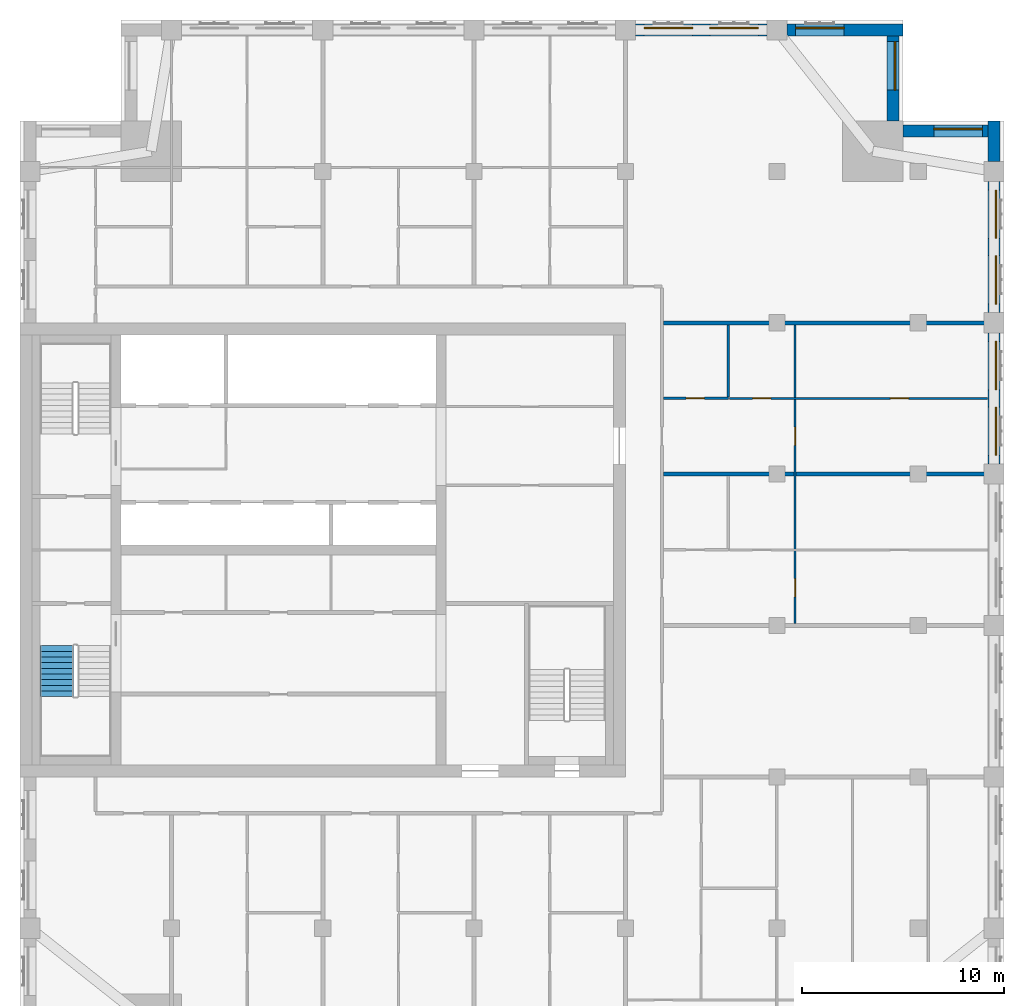
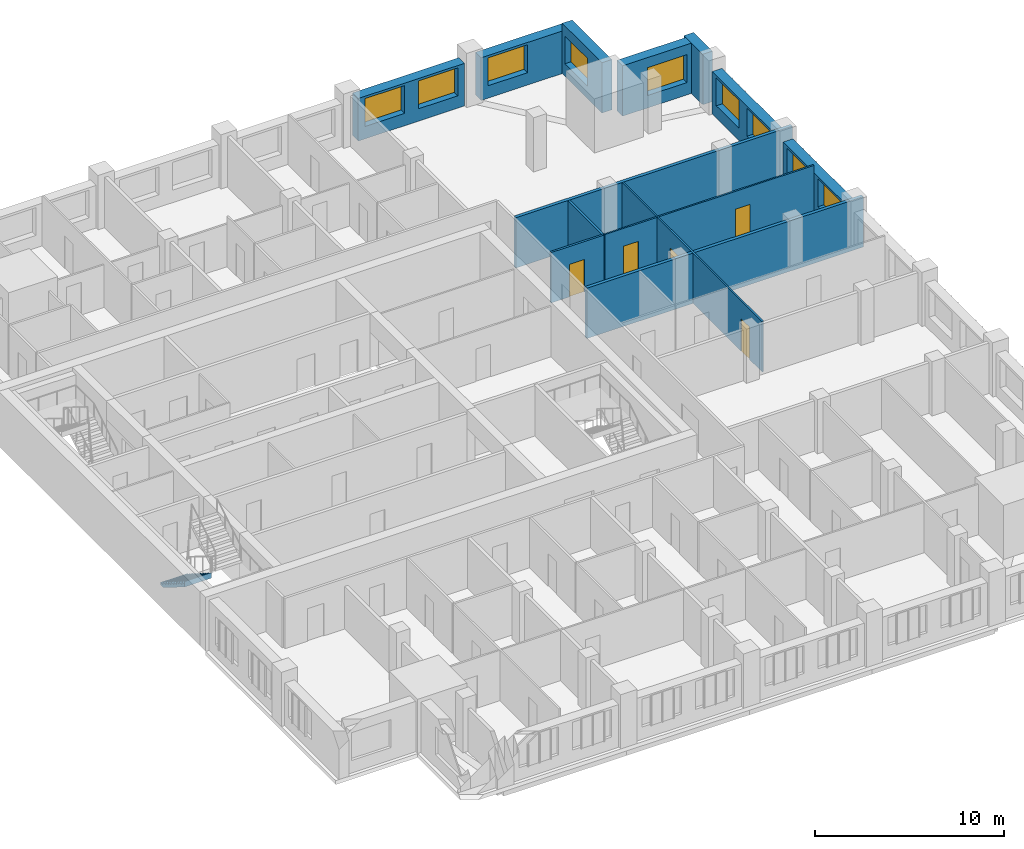
# One storey, part 8 of 11: 13 walls, 9 windows, 5 doors, 1 stair flight, 14 openings, 1 element without a shape of its own.
"""IFC4 building model written with IfcOpenShell, lengths in metres."""

from ifc_helpers import new_model, si_unit, direction, frame, frame_2d, origin, place, context, subcontext, project, spatial, polyline, rectangle, outline, extrude, material, layer, layer_set, type_object, element, fill, aggregate, save


model = new_model("IFC4")

# Units and contexts
model_context = context("Model", 3, precision=1e-05, world=origin(), true_north=direction((0.0, 1.0)))
body_context = subcontext(model_context, "Body", "Model", "MODEL_VIEW")
ifc_project = project(units=[si_unit("LENGTHUNIT", "METRE"), si_unit("AREAUNIT", "SQUARE_METRE"), si_unit("VOLUMEUNIT", "CUBIC_METRE"), si_unit("PLANEANGLEUNIT", "RADIAN"), si_unit("MASSUNIT", "GRAM", prefix="KILO")], contexts=[model_context])

# Site, building, storey
site_placement = place(None, origin())
site = spatial("IfcSite", under=ifc_project, at=site_placement, CompositionType="ELEMENT")
building_placement = place(site_placement, origin())
building = spatial("IfcBuilding", under=site, at=building_placement, Name="Tamorin Gate", CompositionType="ELEMENT")
storey_placement = place(building_placement, frame((0.0, 0.0, 240.699951171875)))
storey = spatial("IfcBuildingStorey", under=building, at=storey_placement, Name="L60", CompositionType="ELEMENT", Elevation=240.699951171875)

# Wall, openings, windows
ifc_material_1 = material(Name="Precast concrete C40/50", Category="concrete")
ifc_layer_1 = layer(ifc_material_1, 0.60009765625)
ifc_layer_set_1 = layer_set([ifc_layer_1], Name="Precast concrete C40/50")
wall_type_1 = type_object("IfcWallType", Name="Board-marked concrete facade panel 600", PredefinedType="SOLIDWALL", material=ifc_layer_set_1)
wall_1_placement = place(storey_placement, frame((78.25, 75.5, 0.0), z_axis=(0.0, 0.0, 1.0), x_axis=(0.0, 1.0, 0.0)))
wall_1 = element("IfcWall", 1, at=wall_1_placement, inside=storey, type_object=wall_type_1, Name="Facade panel", PredefinedType="SOLIDWALL", context=body_context, shape_type="SweptSolid", body=[
    extrude(rectangle(XDim=6.5, YDim=0.60009765625, at=frame_2d((3.25, 0.0))), origin(), (0.0, 0.0, 1.0), 2.75),
])
opening_1_placement = place(wall_1_placement, frame((0.425048828125, 0.0, 0.800048828125)))
opening_1 = element("IfcOpeningElement", 2, at=opening_1_placement, cuts=wall_1, Name="Opening WN1", PredefinedType="OPENING", context=body_context, shape_type="SweptSolid", body=[
    extrude(rectangle(XDim=2.39990234375, YDim=1.800048828125, at=frame_2d((1.199951171875, 0.89990234375))), frame((0.0, 0.31005859375, 0.0), z_axis=(0.0, -1.0, 0.0), x_axis=(1.0, 0.0, 0.0)), (0.0, 0.0, 1.0), 0.6201171875),
])
opening_2_placement = place(wall_1_placement, frame((3.675048828125, 0.0, 0.800048828125)))
opening_2 = element("IfcOpeningElement", 3, at=opening_2_placement, cuts=wall_1, Name="Opening WN1", PredefinedType="OPENING", context=body_context, shape_type="SweptSolid", body=[
    extrude(rectangle(XDim=2.39990234375, YDim=1.800048828125, at=frame_2d((1.199951171875, 0.89990234375))), frame((0.0, 0.31005859375, 0.0), z_axis=(0.0, -1.0, 0.0), x_axis=(1.0, 0.0, 0.0)), (0.0, 0.0, 1.0), 0.6201171875),
])
ifc_material_2 = material(Name="Clear glass in aluminium frame", Category="aluminium")
window_type = type_object("IfcWindowType", Name="Deep-set window 2400x1800", PartitioningType="SINGLE_PANEL", PredefinedType="WINDOW", material=ifc_material_2)
window_1_placement = place(opening_1_placement, origin())
window_1 = element("IfcWindow", 4, at=window_1_placement, inside=storey, type_object=window_type, Name="Deep-set window", OverallHeight=1.800048828125, OverallWidth=2.39990234375, PartitioningType="SINGLE_PANEL", PredefinedType="WINDOW", context=body_context, shape_type="SweptSolid", body=[
    extrude(rectangle(XDim=2.39990234375, YDim=1.800048828125, at=frame_2d((1.199951171875, 0.89990234375))), frame((0.0, -0.070068359375, 0.0), z_axis=(0.0, -1.0, 0.0), x_axis=(1.0, 0.0, 0.0)), (0.0, 0.0, 1.0), 0.06005859375),
])
fill(opening_1, window_1)
window_2_placement = place(opening_2_placement, origin())
window_2 = element("IfcWindow", 5, at=window_2_placement, inside=storey, type_object=window_type, Name="Deep-set window", OverallHeight=1.800048828125, OverallWidth=2.39990234375, PartitioningType="SINGLE_PANEL", PredefinedType="WINDOW", context=body_context, shape_type="SweptSolid", body=[
    extrude(rectangle(XDim=2.39990234375, YDim=1.800048828125, at=frame_2d((1.199951171875, 0.89990234375))), frame((0.0, -0.070068359375, 0.0), z_axis=(0.0, -1.0, 0.0), x_axis=(1.0, 0.0, 0.0)), (0.0, 0.0, 1.0), 0.06005859375),
])
fill(opening_2, window_2)

wall_2_placement = place(storey_placement, frame((78.25, 83.0, 0.0), z_axis=(0.0, 0.0, 1.0), x_axis=(0.0, 1.0, 0.0)))
wall_2 = element("IfcWall", 6, at=wall_2_placement, inside=storey, type_object=wall_type_1, Name="Facade panel", PredefinedType="SOLIDWALL", context=body_context, shape_type="SweptSolid", body=[
    extrude(rectangle(XDim=6.5, YDim=0.60009765625, at=frame_2d((3.25, 0.0))), origin(), (0.0, 0.0, 1.0), 2.75),
])
opening_3_placement = place(wall_2_placement, frame((0.425048828125, 0.0, 0.800048828125)))
opening_3 = element("IfcOpeningElement", 7, at=opening_3_placement, cuts=wall_2, Name="Opening WN1", PredefinedType="OPENING", context=body_context, shape_type="SweptSolid", body=[
    extrude(rectangle(XDim=2.39990234375, YDim=1.800048828125, at=frame_2d((1.199951171875, 0.89990234375))), frame((0.0, 0.31005859375, 0.0), z_axis=(0.0, -1.0, 0.0), x_axis=(1.0, 0.0, 0.0)), (0.0, 0.0, 1.0), 0.6201171875),
])
opening_4_placement = place(wall_2_placement, frame((3.675048828125, 0.0, 0.800048828125)))
opening_4 = element("IfcOpeningElement", 8, at=opening_4_placement, cuts=wall_2, Name="Opening WN1", PredefinedType="OPENING", context=body_context, shape_type="SweptSolid", body=[
    extrude(rectangle(XDim=2.39990234375, YDim=1.800048828125, at=frame_2d((1.199951171875, 0.89990234375))), frame((0.0, 0.31005859375, 0.0), z_axis=(0.0, -1.0, 0.0), x_axis=(1.0, 0.0, 0.0)), (0.0, 0.0, 1.0), 0.6201171875),
])
window_3_placement = place(opening_3_placement, origin())
window_3 = element("IfcWindow", 9, at=window_3_placement, inside=storey, type_object=window_type, Name="Deep-set window", OverallHeight=1.800048828125, OverallWidth=2.39990234375, PartitioningType="SINGLE_PANEL", PredefinedType="WINDOW", context=body_context, shape_type="SweptSolid", body=[
    extrude(rectangle(XDim=2.39990234375, YDim=1.800048828125, at=frame_2d((1.199951171875, 0.89990234375))), frame((0.0, -0.070068359375, 0.0), z_axis=(0.0, -1.0, 0.0), x_axis=(1.0, 0.0, 0.0)), (0.0, 0.0, 1.0), 0.06005859375),
])
fill(opening_3, window_3)
window_4_placement = place(opening_4_placement, origin())
window_4 = element("IfcWindow", 10, at=window_4_placement, inside=storey, type_object=window_type, Name="Deep-set window", OverallHeight=1.800048828125, OverallWidth=2.39990234375, PartitioningType="SINGLE_PANEL", PredefinedType="WINDOW", context=body_context, shape_type="SweptSolid", body=[
    extrude(rectangle(XDim=2.39990234375, YDim=1.800048828125, at=frame_2d((1.199951171875, 0.89990234375))), frame((0.0, -0.070068359375, 0.0), z_axis=(0.0, -1.0, 0.0), x_axis=(1.0, 0.0, 0.0)), (0.0, 0.0, 1.0), 0.06005859375),
])
fill(opening_4, window_4)

# Wall
wall_3_placement = place(storey_placement, frame((78.25, 90.5, 0.0), z_axis=(0.0, 0.0, 1.0), x_axis=(0.0, 1.0, 0.0)))
element("IfcWall", 11, at=wall_3_placement, inside=storey, type_object=wall_type_1, Name="Facade panel", PredefinedType="SOLIDWALL", context=body_context, shape_type="SweptSolid", body=[
    extrude(rectangle(XDim=2.0, YDim=0.60009765625, at=frame_2d((1.0, 0.0))), origin(), (0.0, 0.0, 1.0), 3.25),
])

# Wall, opening, window
wall_4_placement = place(storey_placement, frame((77.949951171875, 92.0, 0.0), z_axis=(0.0, 0.0, 1.0), x_axis=(-1.0, 0.0, 0.0)))
wall_4 = element("IfcWall", 12, at=wall_4_placement, inside=storey, type_object=wall_type_1, Name="Facade panel", PredefinedType="SOLIDWALL", context=body_context, shape_type="SweptSolid", body=[
    extrude(rectangle(XDim=4.199951171875, YDim=0.60009765625, at=frame_2d((2.10009765625, 0.0))), origin(), (0.0, 0.0, 1.0), 3.25),
])
opening_5_placement = place(wall_4_placement, frame((0.27490234375, 0.0, 0.800048828125)))
opening_5 = element("IfcOpeningElement", 13, at=opening_5_placement, cuts=wall_4, Name="Opening WN1", PredefinedType="OPENING", context=body_context, shape_type="SweptSolid", body=[
    extrude(rectangle(XDim=2.39990234375, YDim=1.800048828125, at=frame_2d((1.199951171875, 0.89990234375))), frame((0.0, 0.31005859375, 0.0), z_axis=(0.0, -1.0, 0.0), x_axis=(1.0, 0.0, 0.0)), (0.0, 0.0, 1.0), 0.6201171875),
])
window_5_placement = place(opening_5_placement, origin())
window_5 = element("IfcWindow", 14, at=window_5_placement, inside=storey, type_object=window_type, Name="Deep-set window", OverallHeight=1.800048828125, OverallWidth=2.39990234375, PartitioningType="SINGLE_PANEL", PredefinedType="WINDOW", context=body_context, shape_type="SweptSolid", body=[
    extrude(rectangle(XDim=2.39990234375, YDim=1.800048828125, at=frame_2d((1.199951171875, 0.89990234375))), frame((0.0, -0.070068359375, 0.0), z_axis=(0.0, -1.0, 0.0), x_axis=(1.0, 0.0, 0.0)), (0.0, 0.0, 1.0), 0.06005859375),
])
fill(opening_5, window_5)

wall_5_placement = place(storey_placement, frame((73.25, 92.5, 0.0), z_axis=(0.0, 0.0, 1.0), x_axis=(0.0, 1.0, 0.0)))
wall_5 = element("IfcWall", 15, at=wall_5_placement, inside=storey, type_object=wall_type_1, Name="Facade panel", PredefinedType="SOLIDWALL", context=body_context, shape_type="SweptSolid", body=[
    extrude(rectangle(XDim=4.199951171875, YDim=0.60009765625, at=frame_2d((2.10009765625, 0.0))), origin(), (0.0, 0.0, 1.0), 3.25),
])
opening_6_placement = place(wall_5_placement, frame((1.52490234375, 0.0, 0.800048828125)))
opening_6 = element("IfcOpeningElement", 16, at=opening_6_placement, cuts=wall_5, Name="Opening WN1", PredefinedType="OPENING", context=body_context, shape_type="SweptSolid", body=[
    extrude(rectangle(XDim=2.39990234375, YDim=1.800048828125, at=frame_2d((1.199951171875, 0.89990234375))), frame((0.0, 0.31005859375, 0.0), z_axis=(0.0, -1.0, 0.0), x_axis=(1.0, 0.0, 0.0)), (0.0, 0.0, 1.0), 0.6201171875),
])
window_6_placement = place(opening_6_placement, origin())
window_6 = element("IfcWindow", 17, at=window_6_placement, inside=storey, type_object=window_type, Name="Deep-set window", OverallHeight=1.800048828125, OverallWidth=2.39990234375, PartitioningType="SINGLE_PANEL", PredefinedType="WINDOW", context=body_context, shape_type="SweptSolid", body=[
    extrude(rectangle(XDim=2.39990234375, YDim=1.800048828125, at=frame_2d((1.199951171875, 0.89990234375))), frame((0.0, -0.070068359375, 0.0), z_axis=(0.0, -1.0, 0.0), x_axis=(1.0, 0.0, 0.0)), (0.0, 0.0, 1.0), 0.06005859375),
])
fill(opening_6, window_6)

wall_6_placement = place(storey_placement, frame((73.75, 97.0, 0.0), z_axis=(0.0, 0.0, 1.0), x_axis=(-1.0, 0.0, 0.0)))
wall_6 = element("IfcWall", 18, at=wall_6_placement, inside=storey, type_object=wall_type_1, Name="Facade panel", PredefinedType="SOLIDWALL", context=body_context, shape_type="SweptSolid", body=[
    extrude(rectangle(XDim=5.75, YDim=0.60009765625, at=frame_2d((2.875, 0.0))), origin(), (0.0, 0.0, 1.0), 2.75),
])
opening_7_placement = place(wall_6_placement, frame((2.925048828125, 0.0, 0.800048828125)))
opening_7 = element("IfcOpeningElement", 19, at=opening_7_placement, cuts=wall_6, Name="Opening WN1", PredefinedType="OPENING", context=body_context, shape_type="SweptSolid", body=[
    extrude(rectangle(XDim=2.39990234375, YDim=1.800048828125, at=frame_2d((1.199951171875, 0.89990234375))), frame((0.0, 0.31005859375, 0.0), z_axis=(0.0, -1.0, 0.0), x_axis=(1.0, 0.0, 0.0)), (0.0, 0.0, 1.0), 0.6201171875),
])
window_7_placement = place(opening_7_placement, origin())
window_7 = element("IfcWindow", 20, at=window_7_placement, inside=storey, type_object=window_type, Name="Deep-set window", OverallHeight=1.800048828125, OverallWidth=2.39990234375, PartitioningType="SINGLE_PANEL", PredefinedType="WINDOW", context=body_context, shape_type="SweptSolid", body=[
    extrude(rectangle(XDim=2.39990234375, YDim=1.800048828125, at=frame_2d((1.199951171875, 0.89990234375))), frame((0.0, -0.070068359375, 0.0), z_axis=(0.0, -1.0, 0.0), x_axis=(1.0, 0.0, 0.0)), (0.0, 0.0, 1.0), 0.06005859375),
])
fill(opening_7, window_7)

# Wall, openings, windows
wall_7_placement = place(storey_placement, frame((67.0, 97.0, 0.0), z_axis=(0.0, 0.0, 1.0), x_axis=(-1.0, 0.0, 0.0)))
wall_7 = element("IfcWall", 21, at=wall_7_placement, inside=storey, type_object=wall_type_1, Name="Facade panel", PredefinedType="SOLIDWALL", context=body_context, shape_type="SweptSolid", body=[
    extrude(rectangle(XDim=6.5, YDim=0.60009765625, at=frame_2d((3.25, 0.0))), origin(), (0.0, 0.0, 1.0), 2.75),
])
opening_8_placement = place(wall_7_placement, frame((3.675048828125, 0.0, 0.800048828125)))
opening_8 = element("IfcOpeningElement", 22, at=opening_8_placement, cuts=wall_7, Name="Opening WN1", PredefinedType="OPENING", context=body_context, shape_type="SweptSolid", body=[
    extrude(rectangle(XDim=2.39990234375, YDim=1.800048828125, at=frame_2d((1.199951171875, 0.89990234375))), frame((0.0, 0.31005859375, 0.0), z_axis=(0.0, -1.0, 0.0), x_axis=(1.0, 0.0, 0.0)), (0.0, 0.0, 1.0), 0.6201171875),
])
opening_9_placement = place(wall_7_placement, frame((0.425048828125, 0.0, 0.800048828125)))
opening_9 = element("IfcOpeningElement", 23, at=opening_9_placement, cuts=wall_7, Name="Opening WN1", PredefinedType="OPENING", context=body_context, shape_type="SweptSolid", body=[
    extrude(rectangle(XDim=2.39990234375, YDim=1.800048828125, at=frame_2d((1.199951171875, 0.89990234375))), frame((0.0, 0.31005859375, 0.0), z_axis=(0.0, -1.0, 0.0), x_axis=(1.0, 0.0, 0.0)), (0.0, 0.0, 1.0), 0.6201171875),
])
window_8_placement = place(opening_8_placement, origin())
window_8 = element("IfcWindow", 24, at=window_8_placement, inside=storey, type_object=window_type, Name="Deep-set window", OverallHeight=1.800048828125, OverallWidth=2.39990234375, PartitioningType="SINGLE_PANEL", PredefinedType="WINDOW", context=body_context, shape_type="SweptSolid", body=[
    extrude(rectangle(XDim=2.39990234375, YDim=1.800048828125, at=frame_2d((1.199951171875, 0.89990234375))), frame((0.0, -0.070068359375, 0.0), z_axis=(0.0, -1.0, 0.0), x_axis=(1.0, 0.0, 0.0)), (0.0, 0.0, 1.0), 0.06005859375),
])
fill(opening_8, window_8)
window_9_placement = place(opening_9_placement, origin())
window_9 = element("IfcWindow", 25, at=window_9_placement, inside=storey, type_object=window_type, Name="Deep-set window", OverallHeight=1.800048828125, OverallWidth=2.39990234375, PartitioningType="SINGLE_PANEL", PredefinedType="WINDOW", context=body_context, shape_type="SweptSolid", body=[
    extrude(rectangle(XDim=2.39990234375, YDim=1.800048828125, at=frame_2d((1.199951171875, 0.89990234375))), frame((0.0, -0.070068359375, 0.0), z_axis=(0.0, -1.0, 0.0), x_axis=(1.0, 0.0, 0.0)), (0.0, 0.0, 1.0), 0.06005859375),
])
fill(opening_9, window_9)

# Walls
ifc_material_3 = material(Name="Gypsum board partition")
ifc_layer_2 = layer(ifc_material_3, 0.199951171875)
ifc_layer_set_2 = layer_set([ifc_layer_2], Name="Demising wall 200")
wall_type_2 = type_object("IfcWallType", Name="Demising wall 200", PredefinedType="PARTITIONING", material=ifc_layer_set_2)
for number, where, z_axis, x_axis, name in (
    (26, (61.875, 75.0, 0.0), (0.0, 0.0, 1.0), (1.0, 0.0, 0.0), "Demising wall 200"),
    (27, (61.875, 82.5, 0.0), (0.0, 0.0, 1.0), (1.0, 0.0, 0.0), "Demising wall 200"),
):
    element("IfcWall", number, at=place(storey_placement, frame(where, z_axis=z_axis, x_axis=x_axis)), inside=storey, type_object=wall_type_2, Name=name, PredefinedType="PARTITIONING", context=body_context, shape_type="SweptSolid", body=[
        extrude(rectangle(XDim=16.875, YDim=0.199951171875, at=frame_2d((8.4375, 0.0))), origin(), (0.0, 0.0, 1.0), 3.25),
    ])

# Wall, openings, doors
ifc_layer_3 = layer(ifc_material_3, 0.10009765625)
ifc_layer_set_3 = layer_set([ifc_layer_3], Name="Room partition 100")
wall_type_3 = type_object("IfcWallType", Name="Room partition 100", PredefinedType="PARTITIONING", material=ifc_layer_set_3)
wall_8_placement = place(storey_placement, frame((65.16259765625, 78.75, 0.0), z_axis=(0.0, 0.0, 1.0), x_axis=(1.0, 0.0, 0.0)))
wall_8 = element("IfcWall", 28, at=wall_8_placement, inside=storey, type_object=wall_type_3, Name="Room partition 100", PredefinedType="PARTITIONING", context=body_context, shape_type="SweptSolid", body=[
    extrude(rectangle(XDim=12.77734375, YDim=0.10009765625, at=frame_2d((6.388671875, 0.0))), origin(), (0.0, 0.0, 1.0), 3.25),
])
opening_10_placement = place(wall_8_placement, frame((1.137451171875, 0.0, 0.0)))
opening_10 = element("IfcOpeningElement", 29, at=opening_10_placement, cuts=wall_8, Name="Opening DR6052", PredefinedType="OPENING", context=body_context, shape_type="SweptSolid", body=[
    extrude(rectangle(XDim=0.89990234375, YDim=2.10009765625, at=frame_2d((0.449951171875, 1.050048828125))), frame((0.0, 0.06005859375, 0.0), z_axis=(0.0, -1.0, 0.0), x_axis=(1.0, 0.0, 0.0)), (0.0, 0.0, 1.0), 0.1201171875),
])
opening_11_placement = place(wall_8_placement, frame((7.96240234375, 0.0, 0.0)))
opening_11 = element("IfcOpeningElement", 30, at=opening_11_placement, cuts=wall_8, Name="Opening DR6054", PredefinedType="OPENING", context=body_context, shape_type="SweptSolid", body=[
    extrude(rectangle(XDim=0.89990234375, YDim=2.10009765625, at=frame_2d((0.449951171875, 1.050048828125))), frame((0.0, 0.06005859375, 0.0), z_axis=(0.0, -1.0, 0.0), x_axis=(1.0, 0.0, 0.0)), (0.0, 0.0, 1.0), 0.1201171875),
])
ifc_material_4 = material(Name="Timber door leaf", Category="wood")
door_type = type_object("IfcDoorType", Name="Door 900 x 2100", OperationType="NOTDEFINED", PredefinedType="DOOR", material=ifc_material_4)
door_1_placement = place(opening_10_placement, origin())
door_1 = element("IfcDoor", 31, at=door_1_placement, inside=storey, type_object=door_type, Name="Door DR6052", OperationType="SINGLE_SWING_LEFT", OverallHeight=2.10009765625, OverallWidth=0.89990234375, PredefinedType="DOOR", context=body_context, shape_type="SweptSolid", body=[
    extrude(rectangle(XDim=0.89990234375, YDim=2.10009765625, at=frame_2d((0.449951171875, 1.050048828125))), frame((0.0, 0.02490234375, 0.0), z_axis=(0.0, -1.0, 0.0), x_axis=(1.0, 0.0, 0.0)), (0.0, 0.0, 1.0), 0.050048828125),
])
fill(opening_10, door_1)
door_2_placement = place(opening_11_placement, origin())
door_2 = element("IfcDoor", 32, at=door_2_placement, inside=storey, type_object=door_type, Name="Door DR6054", OperationType="SINGLE_SWING_LEFT", OverallHeight=2.10009765625, OverallWidth=0.89990234375, PredefinedType="DOOR", context=body_context, shape_type="SweptSolid", body=[
    extrude(rectangle(XDim=0.89990234375, YDim=2.10009765625, at=frame_2d((0.449951171875, 1.050048828125))), frame((0.0, 0.02490234375, 0.0), z_axis=(0.0, -1.0, 0.0), x_axis=(1.0, 0.0, 0.0)), (0.0, 0.0, 1.0), 0.050048828125),
])
fill(opening_11, door_2)

wall_9_placement = place(storey_placement, frame((68.39990234375, 67.60009765625, 0.0), z_axis=(0.0, 0.0, 1.0), x_axis=(0.0, 1.0, 0.0)))
wall_9 = element("IfcWall", 33, at=wall_9_placement, inside=storey, type_object=wall_type_3, Name="Room partition 100", PredefinedType="PARTITIONING", context=body_context, shape_type="SweptSolid", body=[
    extrude(rectangle(XDim=14.7998046875, YDim=0.10009765625, at=frame_2d((7.39990234375, 0.0))), origin(), (0.0, 0.0, 1.0), 3.25),
])
opening_12_placement = place(wall_9_placement, frame((1.324951171875, 0.0, 0.0)))
opening_12 = element("IfcOpeningElement", 34, at=opening_12_placement, cuts=wall_9, Name="Opening DR6046", PredefinedType="OPENING", context=body_context, shape_type="SweptSolid", body=[
    extrude(rectangle(XDim=0.89990234375, YDim=2.10009765625, at=frame_2d((0.449951171875, 1.050048828125))), frame((0.0, 0.06005859375, 0.0), z_axis=(0.0, -1.0, 0.0), x_axis=(1.0, 0.0, 0.0)), (0.0, 0.0, 1.0), 0.1201171875),
])
opening_13_placement = place(wall_9_placement, frame((8.824951171875, 0.0, 0.0)))
opening_13 = element("IfcOpeningElement", 35, at=opening_13_placement, cuts=wall_9, Name="Opening DR6051", PredefinedType="OPENING", context=body_context, shape_type="SweptSolid", body=[
    extrude(rectangle(XDim=0.89990234375, YDim=2.10009765625, at=frame_2d((0.449951171875, 1.050048828125))), frame((0.0, 0.06005859375, 0.0), z_axis=(0.0, -1.0, 0.0), x_axis=(1.0, 0.0, 0.0)), (0.0, 0.0, 1.0), 0.1201171875),
])
door_3_placement = place(opening_12_placement, origin())
door_3 = element("IfcDoor", 36, at=door_3_placement, inside=storey, type_object=door_type, Name="Door DR6046", OperationType="SINGLE_SWING_LEFT", OverallHeight=2.10009765625, OverallWidth=0.89990234375, PredefinedType="DOOR", context=body_context, shape_type="SweptSolid", body=[
    extrude(rectangle(XDim=0.89990234375, YDim=2.10009765625, at=frame_2d((0.449951171875, 1.050048828125))), frame((0.0, 0.02490234375, 0.0), z_axis=(0.0, -1.0, 0.0), x_axis=(1.0, 0.0, 0.0)), (0.0, 0.0, 1.0), 0.050048828125),
])
fill(opening_12, door_3)
door_4_placement = place(opening_13_placement, origin())
door_4 = element("IfcDoor", 37, at=door_4_placement, inside=storey, type_object=door_type, Name="Door DR6051", OperationType="SINGLE_SWING_LEFT", OverallHeight=2.10009765625, OverallWidth=0.89990234375, PredefinedType="DOOR", context=body_context, shape_type="SweptSolid", body=[
    extrude(rectangle(XDim=0.89990234375, YDim=2.10009765625, at=frame_2d((0.449951171875, 1.050048828125))), frame((0.0, 0.02490234375, 0.0), z_axis=(0.0, -1.0, 0.0), x_axis=(1.0, 0.0, 0.0)), (0.0, 0.0, 1.0), 0.050048828125),
])
fill(opening_13, door_4)

# Wall, opening, door
ifc_layer_4 = layer(ifc_material_3, 0.125)
ifc_layer_set_4 = layer_set([ifc_layer_4], Name="Wet wall 125")
wall_type_4 = type_object("IfcWallType", Name="Wet wall 125", PredefinedType="PARTITIONING", material=ifc_layer_set_4)
wall_10_placement = place(storey_placement, frame((61.875, 78.75, 0.0), z_axis=(0.0, 0.0, 1.0), x_axis=(1.0, 0.0, 0.0)))
wall_10 = element("IfcWall", 38, at=wall_10_placement, inside=storey, type_object=wall_type_4, Name="Wet wall 125", PredefinedType="PARTITIONING", context=body_context, shape_type="SweptSolid", body=[
    extrude(rectangle(XDim=3.22509765625, YDim=0.125, at=frame_2d((1.612548828125, 0.0))), origin(), (0.0, 0.0, 1.0), 3.25),
])
opening_14_placement = place(wall_10_placement, frame((1.125, 0.0, 0.0)))
opening_14 = element("IfcOpeningElement", 39, at=opening_14_placement, cuts=wall_10, Name="Opening DR6053", PredefinedType="OPENING", context=body_context, shape_type="SweptSolid", body=[
    extrude(rectangle(XDim=0.89990234375, YDim=2.10009765625, at=frame_2d((0.449951171875, 1.050048828125))), frame((0.0, 0.072509765625, 0.0), z_axis=(0.0, -1.0, 0.0), x_axis=(1.0, 0.0, 0.0)), (0.0, 0.0, 1.0), 0.14501953125),
])
door_5_placement = place(opening_14_placement, origin())
door_5 = element("IfcDoor", 40, at=door_5_placement, inside=storey, type_object=door_type, Name="Door DR6053", OperationType="SINGLE_SWING_RIGHT", OverallHeight=2.10009765625, OverallWidth=0.89990234375, PredefinedType="DOOR", context=body_context, shape_type="SweptSolid", body=[
    extrude(rectangle(XDim=0.89990234375, YDim=2.10009765625, at=frame_2d((0.449951171875, 1.050048828125))), frame((0.0, 0.02490234375, 0.0), z_axis=(0.0, -1.0, 0.0), x_axis=(1.0, 0.0, 0.0)), (0.0, 0.0, 1.0), 0.050048828125),
])
fill(opening_14, door_5)

# Wall
wall_11_placement = place(storey_placement, frame((65.10009765625, 78.8125, 0.0), z_axis=(0.0, 0.0, 1.0), x_axis=(0.0, 1.0, 0.0)))
element("IfcWall", 41, at=wall_11_placement, inside=storey, type_object=wall_type_4, Name="Wet wall 125", PredefinedType="PARTITIONING", context=body_context, shape_type="SweptSolid", body=[
    extrude(rectangle(XDim=3.58740234375, YDim=0.125, at=frame_2d((1.793701171875, 0.0))), origin(), (0.0, 0.0, 1.0), 3.25),
])

# Stair, stair flight
ifc_material_5 = material(Name="Concrete C40/50", Category="concrete")
stair_type = type_object("IfcStairType", Name="Exit stair", PredefinedType="HALF_TURN_STAIR", material=ifc_material_5)
stair_placement = place(storey_placement, origin())
stair = element("IfcStair", 42, at=stair_placement, inside=storey, type_object=stair_type, Name="L60 stair ST1", PredefinedType="HALF_TURN_STAIR")
stair_flight_type = type_object("IfcStairFlightType", Name="Exit stair flight", PredefinedType="STRAIGHT", material=ifc_material_5)
stair_flight_placement = place(storey_placement, frame((31.824951171875, 66.5, 0.0), z_axis=(0.0, 0.0, 1.0), x_axis=(0.0, -1.0, 0.0)))
stair_flight = element("IfcStairFlight", 43, at=stair_flight_placement, type_object=stair_flight_type, Name="ST1 flight 1", NumberOfRisers=10, NumberOfTreads=9, PredefinedType="STRAIGHT", RiserHeight=0.175, TreadLength=0.28, context=body_context, shape_type="SweptSolid", body=[
    extrude(outline(polyline([(-0.00048828125, 0.0), (-0.00048828125, 0.001708984375), (-0.00048828125, 0.00341796875), (-0.00048828125, 0.005126953125), (-0.00048828125, 0.0068359375), (-0.00048828125, 0.008544921875), (-0.00048828125, 0.010498046875), (-0.00048828125, 0.01220703125), (-0.00048828125, 0.013916015625), (-0.00048828125, 0.015625), (-0.00048828125, 0.017333984375), (-0.00048828125, 0.01904296875), (-0.00048828125, 0.020751953125), (-0.00048828125, 0.0224609375), (-0.00048828125, 0.024169921875), (-0.00048828125, 0.02587890625), (-0.00048828125, 0.02783203125), (-0.00048828125, 0.029541015625), (-0.00048828125, 0.03125), (-0.00048828125, 0.032958984375), (-0.00048828125, 0.03466796875), (-0.00048828125, 0.036376953125), (-0.00048828125, 0.0380859375), (-0.00048828125, 0.039794921875), (-0.00048828125, 0.04150390625), (-0.00048828125, 0.043212890625), (-0.00048828125, 0.045166015625), (-0.00048828125, 0.046875), (-0.00048828125, 0.048583984375), (-0.00048828125, 0.05029296875), (-0.00048828125, 0.052001953125), (-0.00048828125, 0.0537109375), (-0.00048828125, 0.055419921875), (-0.00048828125, 0.05712890625), (-0.00048828125, 0.058837890625), (-0.00048828125, 0.060546875), (-0.00048828125, 0.062255859375), (-0.00048828125, 0.064208984375), (-0.00048828125, 0.06591796875), (-0.00048828125, 0.067626953125), (-0.00048828125, 0.0693359375), (-0.00048828125, 0.071044921875), (-0.00048828125, 0.07275390625), (-0.00048828125, 0.074462890625), (-0.00048828125, 0.076171875), (-0.00048828125, 0.077880859375), (-0.00048828125, 0.07958984375), (-0.00048828125, 0.08154296875), (-0.00048828125, 0.083251953125), (-0.00048828125, 0.0849609375), (-0.00048828125, 0.086669921875), (-0.00048828125, 0.08837890625), (-0.00048828125, 0.090087890625), (-0.00048828125, 0.091796875), (-0.00048828125, 0.093505859375), (-0.00048828125, 0.09521484375), (-0.00048828125, 0.096923828125), (-0.00048828125, 0.098876953125), (-0.00048828125, 0.1005859375), (-0.00048828125, 0.102294921875), (-0.00048828125, 0.10400390625), (-0.00048828125, 0.105712890625), (-0.00048828125, 0.107421875), (-0.00048828125, 0.109130859375), (-0.00048828125, 0.11083984375), (-0.00048828125, 0.112548828125), (-0.00048828125, 0.1142578125), (-0.00048828125, 0.1162109375), (-0.00048828125, 0.117919921875), (-0.00048828125, 0.11962890625), (-0.00048828125, 0.121337890625), (-0.00048828125, 0.123046875), (-0.00048828125, 0.124755859375), (-0.00048828125, 0.12646484375), (-0.00048828125, 0.128173828125), (-0.00048828125, 0.1298828125), (-0.00048828125, 0.131591796875), (-0.00048828125, 0.13330078125), (-0.00048828125, 0.13525390625), (-0.00048828125, 0.136962890625), (-0.00048828125, 0.138671875), (-0.00048828125, 0.140380859375), (-0.00048828125, 0.14208984375), (-0.00048828125, 0.143798828125), (-0.00048828125, 0.1455078125), (-0.00048828125, 0.147216796875), (-0.00048828125, 0.14892578125), (-0.00048828125, 0.150634765625), (-0.00048828125, 0.152587890625), (-0.00048828125, 0.154296875), (-0.00048828125, 0.156005859375), (-0.00048828125, 0.15771484375), (-0.00048828125, 0.159423828125), (-0.00048828125, 0.1611328125), (-0.00048828125, 0.162841796875), (-0.00048828125, 0.16455078125), (-0.00048828125, 0.166259765625), (-0.00048828125, 0.16796875), (-0.00048828125, 0.169921875), (-0.00048828125, 0.171630859375), (-0.00048828125, 0.17333984375), (-0.00048828125, 0.175048828125), (0.280029296875, 0.175048828125), (0.280029296875, 0.35009765625), (0.56005859375, 0.35009765625), (0.56005859375, 0.52490234375), (0.840087890625, 0.52490234375), (0.840087890625, 0.699951171875), (1.1201171875, 0.699951171875), (1.1201171875, 0.875), (1.39990234375, 0.875), (1.39990234375, 1.050048828125), (1.679931640625, 1.050048828125), (1.679931640625, 1.22509765625), (1.9599609375, 1.22509765625), (1.9599609375, 1.39990234375), (2.239990234375, 1.39990234375), (2.239990234375, 1.574951171875), (2.52001953125, 1.574951171875), (2.52001953125, 1.75), (2.5205078125, 1.75), (2.5205078125, 1.74658203125), (2.5205078125, 1.742919921875), (2.5205078125, 1.739501953125), (2.5205078125, 1.736083984375), (2.5205078125, 1.732666015625), (2.5205078125, 1.72900390625), (2.5205078125, 1.7255859375), (2.5205078125, 1.72216796875), (2.5205078125, 1.71875), (2.5205078125, 1.715087890625), (2.5205078125, 1.711669921875), (2.5205078125, 1.708251953125), (2.5205078125, 1.704833984375), (2.5205078125, 1.701171875), (2.5205078125, 1.69775390625), (2.5205078125, 1.6943359375), (2.5205078125, 1.690673828125), (2.5205078125, 1.687255859375), (2.5205078125, 1.683837890625), (2.5205078125, 1.680419921875), (2.5205078125, 1.6767578125), (2.5205078125, 1.67333984375), (2.5205078125, 1.669921875), (2.5205078125, 1.66650390625), (2.5205078125, 1.662841796875), (2.5205078125, 1.659423828125), (2.5205078125, 1.656005859375), (2.5205078125, 1.652587890625), (2.5205078125, 1.64892578125), (2.5205078125, 1.6455078125), (2.5205078125, 1.64208984375), (2.5205078125, 1.638427734375), (2.5205078125, 1.635009765625), (2.5205078125, 1.631591796875), (2.5205078125, 1.628173828125), (2.5205078125, 1.62451171875), (2.5205078125, 1.62109375), (2.5205078125, 1.61767578125), (2.5205078125, 1.6142578125), (2.5205078125, 1.610595703125), (2.5205078125, 1.607177734375), (2.5205078125, 1.603759765625), (2.5205078125, 1.600341796875), (2.5205078125, 1.5966796875), (2.5205078125, 1.59326171875), (2.5205078125, 1.58984375), (2.5205078125, 1.58642578125), (2.5205078125, 1.582763671875), (2.5205078125, 1.579345703125), (2.5205078125, 1.575927734375), (2.5205078125, 1.572265625), (2.5205078125, 1.56884765625), (2.5205078125, 1.5654296875), (2.5205078125, 1.56201171875), (2.5205078125, 1.558349609375), (2.5205078125, 1.554931640625), (2.5205078125, 1.551513671875), (2.5205078125, 1.548095703125), (2.5205078125, 1.54443359375), (2.5205078125, 1.541015625), (2.5205078125, 1.53759765625), (2.5205078125, 1.5341796875), (2.5205078125, 1.530517578125), (2.5205078125, 1.527099609375), (2.5205078125, 1.523681640625), (2.5205078125, 1.52001953125), (2.5205078125, 1.5166015625), (2.5205078125, 1.51318359375), (2.5205078125, 1.509765625), (2.5205078125, 1.506103515625), (2.5205078125, 1.502685546875), (2.5205078125, 1.499267578125), (2.5205078125, 1.495849609375), (2.5205078125, 1.4921875), (2.5205078125, 1.48876953125), (2.5205078125, 1.4853515625), (2.5205078125, 1.48193359375), (2.5205078125, 1.478271484375), (2.5205078125, 1.474853515625), (2.5205078125, 1.471435546875), (2.5205078125, 1.4677734375), (2.5205078125, 1.46435546875), (2.5205078125, 1.4609375), (2.5205078125, 1.45751953125), (2.5205078125, 1.453857421875), (2.5205078125, 1.450439453125), (2.5205078125, 1.447021484375), (2.5205078125, 1.443603515625), (2.5205078125, 1.43994140625), (2.5205078125, 1.4365234375), (2.5205078125, 1.43310546875), (2.5205078125, 1.4296875), (2.5205078125, 1.426025390625), (2.5205078125, 1.422607421875), (2.5205078125, 1.419189453125), (2.5205078125, 1.41552734375), (2.5205078125, 1.412109375), (2.5205078125, 1.40869140625), (2.5205078125, 1.4052734375), (2.5205078125, 1.401611328125), (2.5205078125, 1.398193359375), (2.52001953125, 1.398193359375), (0.28271484375, 0.0), (-0.00048828125, 0.0)])), frame((0.0, 0.824951171875, 0.0), z_axis=(0.0, -1.0, 0.0), x_axis=(1.0, 0.0, 0.0)), (0.0, 0.0, 1.0), 1.64990234375),
])
aggregate(stair, [stair_flight])

save(model, "model.ifc")
